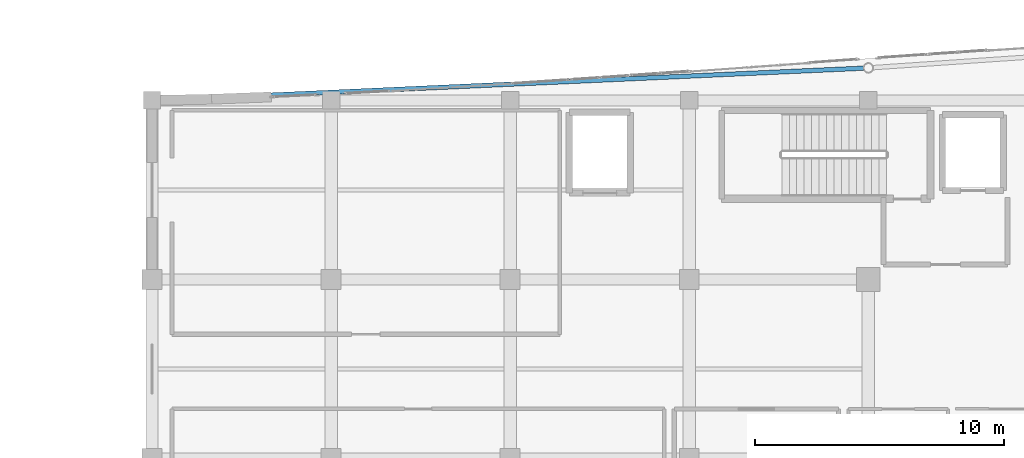
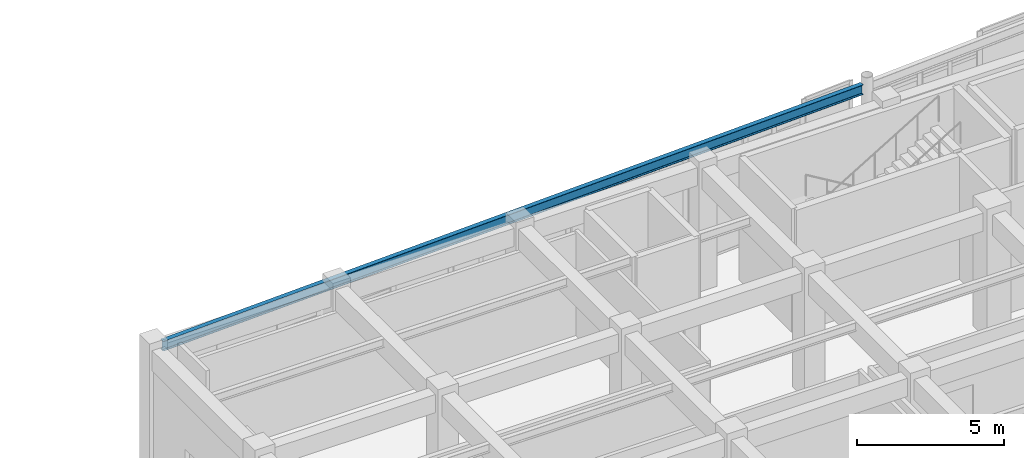
# One storey, part 27 of 102: 1 beam.
"""IFC4 building model written with IfcOpenShell, lengths in metres."""

from ifc_helpers import new_model, si_unit, direction, frame, origin, origin_2d, place, context, subcontext, project, spatial, i_section, extrude, material, material_profile, profile_set, type_object, element, save


model = new_model("IFC4")

# Units and contexts
model_context = context("Model", 3, precision=1e-05, world=origin(), true_north=direction((0.0, 1.0)))
body_context = subcontext(model_context, "Body", "Model", "MODEL_VIEW")
ifc_project = project(units=[si_unit("LENGTHUNIT", "METRE"), si_unit("AREAUNIT", "SQUARE_METRE"), si_unit("VOLUMEUNIT", "CUBIC_METRE"), si_unit("PLANEANGLEUNIT", "RADIAN"), si_unit("MASSUNIT", "GRAM", prefix="KILO")], contexts=[model_context])

# Site, building, storey
site_placement = place(None, origin())
site = spatial("IfcSite", under=ifc_project, at=site_placement, CompositionType="ELEMENT")
building_placement = place(site_placement, origin())
building = spatial("IfcBuilding", under=site, at=building_placement, Name="Carrowvane Square Congress Hotel", CompositionType="ELEMENT")
storey_placement = place(building_placement, origin())
storey = spatial("IfcBuildingStorey", under=building, at=storey_placement, Name="L00", CompositionType="ELEMENT", Elevation=0.0)

# Beam
ifc_material = material(Name="Steel S355", Category="steel")
ifc_material_profile = material_profile(ifc_material, i_section(OverallWidth=0.1787109375, OverallDepth=0.409423828125, WebThickness=0.0087890625, FlangeThickness=0.014404296875, FilletRadius=0.01025390625, at=origin_2d()), Name="UKB 406x178x67")
ifc_profile_set = profile_set([ifc_material_profile], Name="Steel S355")
beam_type = type_object("IfcBeamType", Name="BM-ST-UKB406", PredefinedType="BEAM", material=ifc_profile_set)
beam_placement = place(storey_placement, frame((33.549560546875, 113.415771484375, 4.895263671875), z_axis=(0.998973305659, 0.045302699476, 0.0), x_axis=(-0.045302699476, 0.998973305659, 0.0)))
element("IfcBeam", 1, at=beam_placement, inside=storey, type_object=beam_type, Name="L01 curved north spandrel", PredefinedType="BEAM", context=body_context, shape_type="SweptSolid", body=[
    extrude(i_section(OverallWidth=0.1787109375, OverallDepth=0.409423828125, WebThickness=0.0087890625, FlangeThickness=0.014404296875, FilletRadius=0.01025390625, at=origin_2d()), origin(), (0.0, 0.0, 1.0), 28.276611328125),
])

save(model, "model.ifc")
